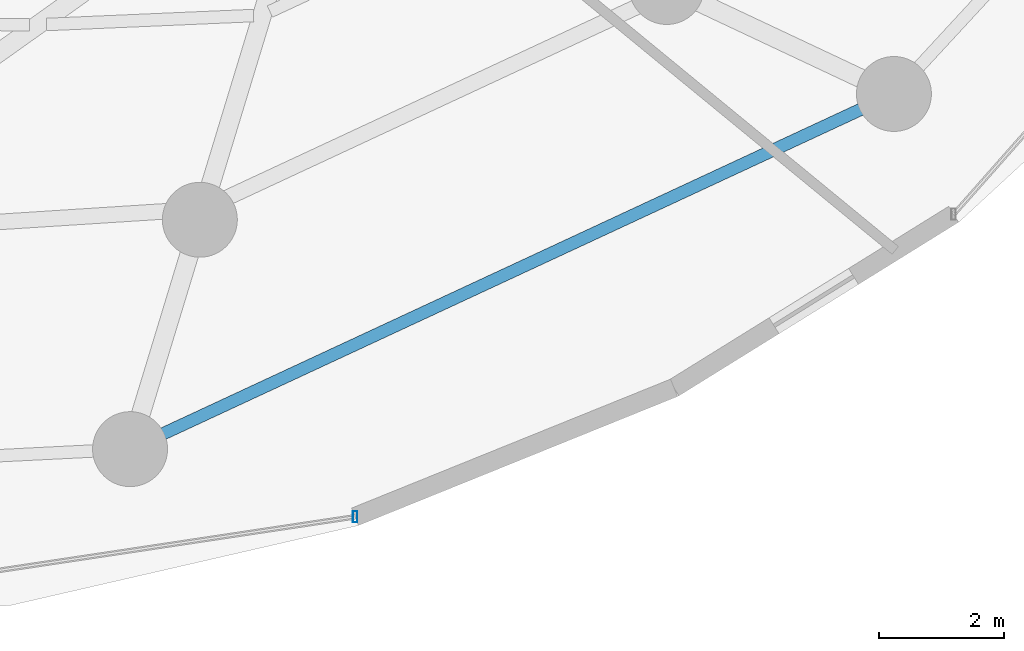
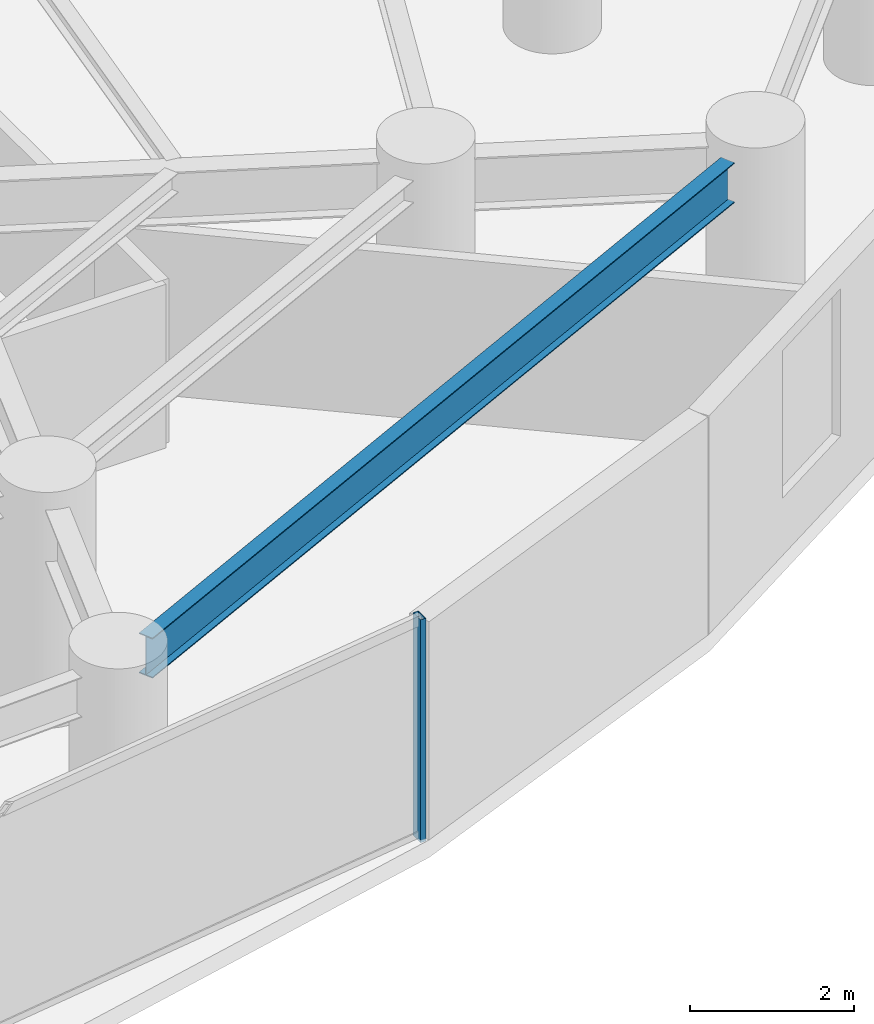
# One storey, part 11 of 33: 1 beam, 1 member, 1 element without a shape of its own.
"""IFC4 building model written with IfcOpenShell, lengths in metres."""

from ifc_helpers import new_model, si_unit, direction, frame, origin, origin_2d, place, context, subcontext, project, spatial, hollow_rectangle, i_section, extrude, material, material_profile, profile_set, type_object, element, aggregate, save


model = new_model("IFC4")

# Units and contexts
model_context = context("Model", 3, precision=1e-05, world=origin(), true_north=direction((0.0, 1.0)))
body_context = subcontext(model_context, "Body", "Model", "MODEL_VIEW")
ifc_project = project(units=[si_unit("LENGTHUNIT", "METRE"), si_unit("AREAUNIT", "SQUARE_METRE"), si_unit("VOLUMEUNIT", "CUBIC_METRE"), si_unit("PLANEANGLEUNIT", "RADIAN"), si_unit("MASSUNIT", "GRAM", prefix="KILO")], contexts=[model_context])

# Site, building, storey
site_placement = place(None, origin())
site = spatial("IfcSite", under=ifc_project, at=site_placement, CompositionType="ELEMENT")
building_placement = place(site_placement, origin())
building = spatial("IfcBuilding", under=site, at=building_placement, Name="Vorneva Point Tower", CompositionType="ELEMENT")
storey_placement = place(building_placement, frame((0.0, 0.0, 59.0)))
storey = spatial("IfcBuildingStorey", under=building, at=storey_placement, Name="L15", CompositionType="ELEMENT", Elevation=59.0)

# Beam
ifc_material_1 = material(Name="Steel S355", Category="steel")
ifc_material_profile_1 = material_profile(ifc_material_1, i_section(OverallWidth=0.198974609375, OverallDepth=0.595947265625, WebThickness=0.010009765625, FlangeThickness=0.014892578125, at=origin_2d()), Name="60B1")
ifc_profile_set_1 = profile_set([ifc_material_profile_1], Name="Steel S355")
beam_type = type_object("IfcBeamType", Name="BM-SPN-60B1", PredefinedType="SPANDREL", material=ifc_profile_set_1)
beam_placement = place(storey_placement, frame((46.233642578125, 6.681884765625, 2.94189453125), z_axis=(0.906772901024, 0.421619385191, 0.0), x_axis=(-0.421619385191, 0.906772901024, 0.0)))
element("IfcBeam", 1, at=beam_placement, inside=storey, type_object=beam_type, Name="L15 Perimeter Spandrel Ring Beam 14", PredefinedType="SPANDREL", context=body_context, shape_type="SweptSolid", body=[
    extrude(i_section(OverallWidth=0.198974609375, OverallDepth=0.595947265625, WebThickness=0.010009765625, FlangeThickness=0.014892578125, at=origin_2d()), origin(), (0.0, 0.0, 1.0), 12.323486328125),
])

# Curtain wall, member
ifc_material_2 = material(Name="Pale anodised aluminium", Category="aluminium")
curtain_wall_type = type_object("IfcCurtainWallType", Name="CW-HTL-SYS", PredefinedType="NOTDEFINED", material=ifc_material_2)
curtain_wall_placement = place(storey_placement, origin())
curtain_wall = element("IfcCurtainWall", 2, at=curtain_wall_placement, inside=storey, type_object=curtain_wall_type, Name="L15 Unitised Curtain Wall CW-L15-R04", PredefinedType="NOTDEFINED")
ifc_material_profile_2 = material_profile(ifc_material_2, hollow_rectangle(XDim=0.074951171875, YDim=0.179931640625, WallThickness=0.00390625, at=origin_2d()), Name="AL-MUL 180x75x4")
ifc_profile_set_2 = profile_set([ifc_material_profile_2], Name="Pale anodised aluminium")
member_type = type_object("IfcMemberType", Name="CW-MUL-180", PredefinedType="MULLION", material=ifc_profile_set_2)
member_placement = place(storey_placement, frame((49.308349609375, 5.351318359375, -0.0400390625), z_axis=(0.0, 0.0, 1.0), x_axis=(1.0, 0.0, 0.0)))
member = element("IfcMember", 3, at=member_placement, type_object=member_type, Name="CW-L15-R04 Mullion 03", PredefinedType="MULLION", context=body_context, shape_type="SweptSolid", body=[
    extrude(hollow_rectangle(XDim=0.074951171875, YDim=0.179931640625, WallThickness=0.00390625, at=origin_2d()), origin(), (0.0, 0.0, 1.0), 3.31005859375),
])
aggregate(curtain_wall, [member])

save(model, "model.ifc")
